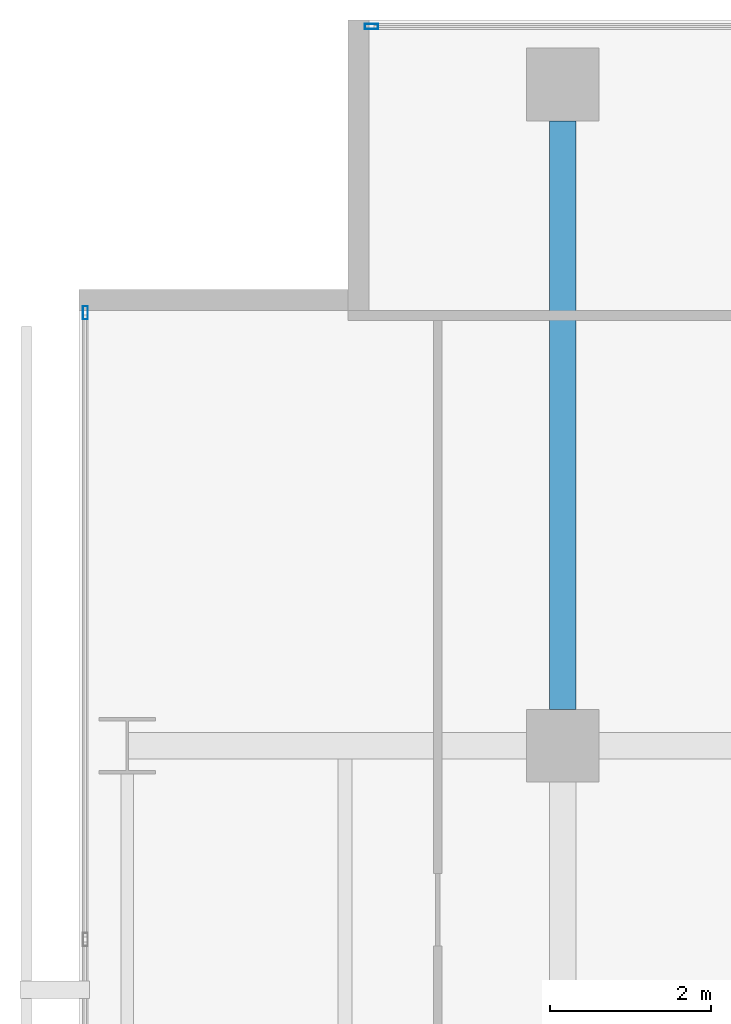
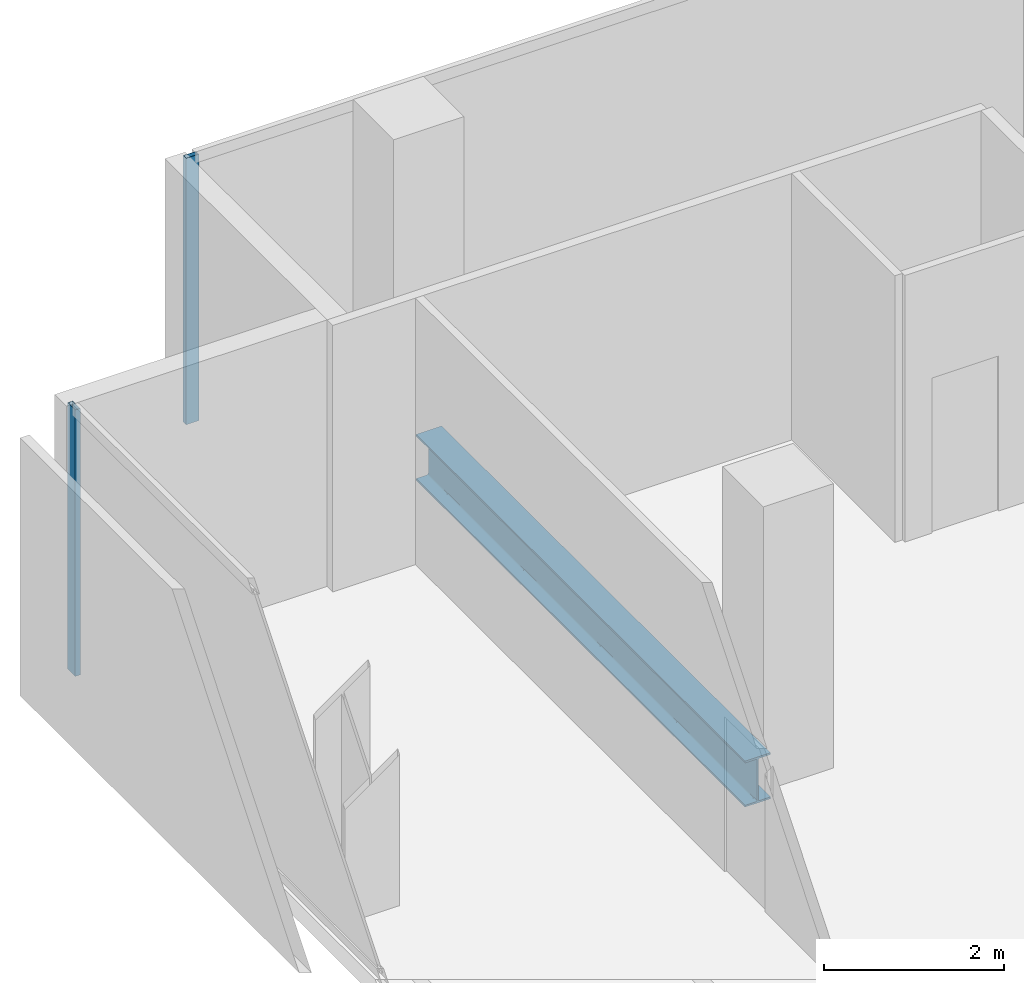
# One storey, part 25 of 39: 2 members, 1 beam, 2 elements without a shape of their own.
"""IFC4 building model written with IfcOpenShell, lengths in metres."""

from ifc_helpers import new_model, si_unit, direction, frame, origin, origin_2d, place, context, subcontext, project, spatial, hollow_rectangle, i_section, extrude, material, layer, layer_set, material_profile, profile_set, type_object, element, aggregate, save


model = new_model("IFC4")

# Units and contexts
model_context = context("Model", 3, precision=1e-05, world=origin(), true_north=direction((0.0, 1.0)))
body_context = subcontext(model_context, "Body", "Model", "MODEL_VIEW")
ifc_project = project(units=[si_unit("LENGTHUNIT", "METRE"), si_unit("AREAUNIT", "SQUARE_METRE"), si_unit("VOLUMEUNIT", "CUBIC_METRE"), si_unit("PLANEANGLEUNIT", "RADIAN"), si_unit("MASSUNIT", "GRAM", prefix="KILO")], contexts=[model_context])

# Site, building, storey
site_placement = place(None, origin())
site = spatial("IfcSite", under=ifc_project, at=site_placement, CompositionType="ELEMENT")
building_placement = place(site_placement, origin())
building = spatial("IfcBuilding", under=site, at=building_placement, Name="Maruvema Waterfront Hotel and Observation Tower", CompositionType="ELEMENT")
storey_placement = place(building_placement, frame((0.0, 0.0, 69.300048828125)))
storey = spatial("IfcBuildingStorey", under=building, at=storey_placement, Name="L16", CompositionType="ELEMENT", Elevation=69.300048828125)

# Curtain wall, member
ifc_material_1 = material(Name="Anodised bronze aluminium and solar-control low-E IGU", Category="aluminium")
ifc_layer = layer(ifc_material_1, 0.159912109375, Name="Zone 1 Bronze Inner Thermal Curtain Wall System CW-02")
ifc_layer_set = layer_set([ifc_layer], Name="Anodised bronze aluminium and solar-control low-E IGU")
curtain_wall_type = type_object("IfcCurtainWallType", Name="Zone 1 Bronze Inner Thermal Curtain Wall System CW-02", PredefinedType="USERDEFINED", material=ifc_layer_set)
curtain_wall_1_placement = place(storey_placement, origin())
curtain_wall_1 = element("IfcCurtainWall", 1, at=curtain_wall_1_placement, inside=storey, type_object=curtain_wall_type, Name="L16 Curtain Wall CW-L16-W", ObjectType="UNITISED CURTAIN WALL", PredefinedType="USERDEFINED")
ifc_material_2 = material(Name="Anodised architectural bronze aluminium", Category="aluminium")
ifc_material_profile_1 = material_profile(ifc_material_2, hollow_rectangle(XDim=0.06494140625, YDim=0.1650390625, WallThickness=0.00390625, at=origin_2d()), Name="ALU-M65x165")
ifc_profile_set_1 = profile_set([ifc_material_profile_1], Name="Anodised architectural bronze aluminium")
member_type = type_object("IfcMemberType", Name="Curtain Wall Primary Mullion ALU-M65x165", PredefinedType="MULLION", material=ifc_profile_set_1)
member_1_placement = place(storey_placement, frame((10.8798828125, 50.3701171875, 0.0), z_axis=(0.0, 0.0, 1.0), x_axis=(1.0, 0.0, 0.0)))
member_1 = element("IfcMember", 2, at=member_1_placement, type_object=member_type, Name="CW-02 mullion 1", PredefinedType="MULLION", context=body_context, shape_type="SweptSolid", body=[
    extrude(hollow_rectangle(XDim=0.06494140625, YDim=0.1650390625, WallThickness=0.00390625, at=origin_2d()), origin(), (0.0, 0.0, 1.0), 3.60986328125),
])
aggregate(curtain_wall_1, [member_1])

curtain_wall_2_placement = place(storey_placement, origin())
curtain_wall_2 = element("IfcCurtainWall", 3, at=curtain_wall_2_placement, inside=storey, type_object=curtain_wall_type, Name="L16 Curtain Wall CW-L16-NW", ObjectType="UNITISED CURTAIN WALL", PredefinedType="USERDEFINED")
member_2_placement = place(storey_placement, frame((14.429931640625, 53.919921875, 0.0), z_axis=(0.0, 0.0, 1.0), x_axis=(0.0, -1.0, 0.0)))
member_2 = element("IfcMember", 4, at=member_2_placement, type_object=member_type, Name="CW-02 mullion 2", PredefinedType="MULLION", context=body_context, shape_type="SweptSolid", body=[
    extrude(hollow_rectangle(XDim=0.06494140625, YDim=0.1650390625, WallThickness=0.00390625, at=origin_2d()), origin(), (0.0, 0.0, 1.0), 3.60986328125),
])
aggregate(curtain_wall_2, [member_2])

# Beam
ifc_material_3 = material(Name="Steel ASTM A572 Grade 50", Category="steel")
ifc_material_profile_2 = material_profile(ifc_material_3, i_section(OverallWidth=0.326904296875, OverallDepth=0.6220703125, WebThickness=0.015380859375, FlangeThickness=0.0244140625, FilletRadius=0.01806640625, at=origin_2d()), Name="W610x195.0")
ifc_profile_set_2 = profile_set([ifc_material_profile_2], Name="Steel ASTM A572 Grade 50")
beam_type = type_object("IfcBeamType", Name="Primary Floor Girder W610x195.0", PredefinedType="BEAM", material=ifc_profile_set_2)
beam_placement = place(storey_placement, frame((16.800048828125, 45.449951171875, -0.551025390625), z_axis=(0.0, 1.0, 0.0), x_axis=(-1.0, 0.0, 0.0)))
element("IfcBeam", 5, at=beam_placement, inside=storey, type_object=beam_type, Name="L16 Floor Girder NS-10", PredefinedType="BEAM", context=body_context, shape_type="SweptSolid", body=[
    extrude(i_section(OverallWidth=0.326904296875, OverallDepth=0.6220703125, WebThickness=0.015380859375, FlangeThickness=0.0244140625, FilletRadius=0.01806640625, at=origin_2d()), origin(), (0.0, 0.0, 1.0), 7.300048828125),
])

save(model, "model.ifc")
